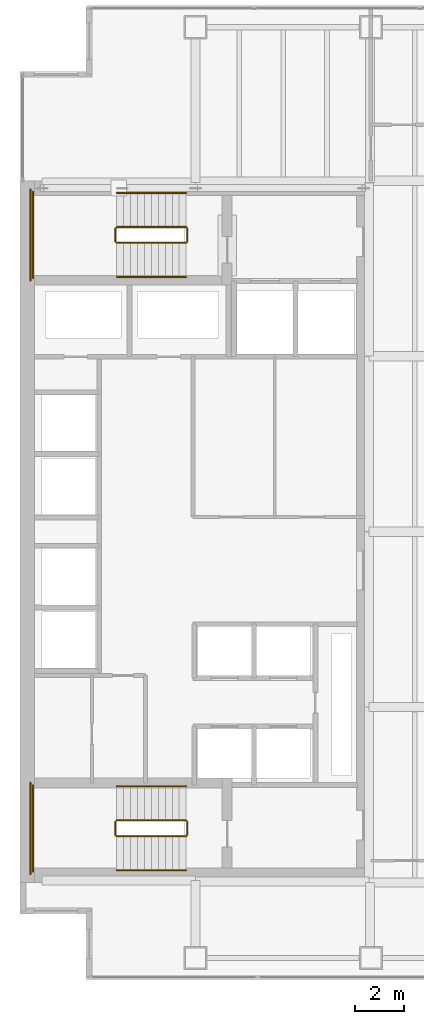
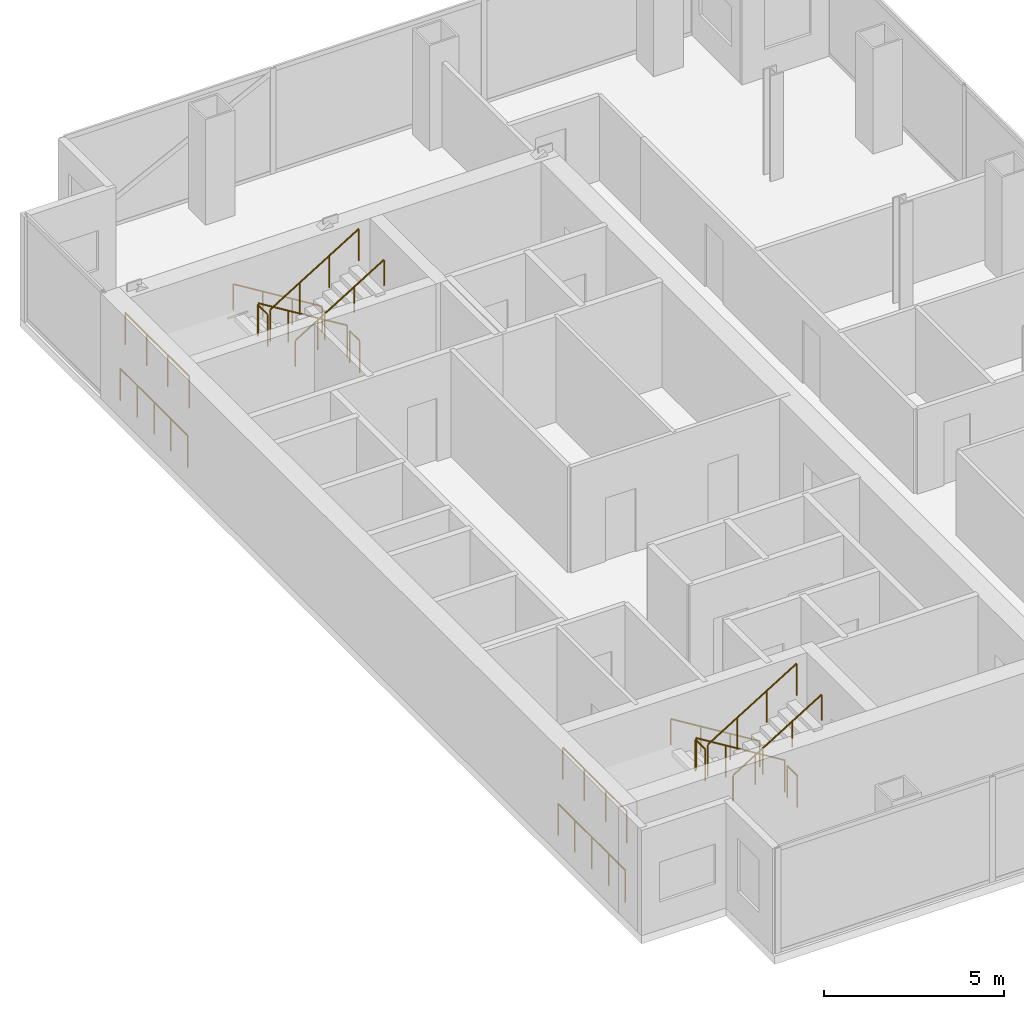
# One storey, part 23 of 23: 16 railings.
"""IFC4 building model written with IfcOpenShell, lengths in metres."""

from ifc_helpers import new_model, si_unit, direction, frame, origin, origin_2d, place, context, subcontext, project, spatial, circle, extrude, material, type_object, element, save


model = new_model("IFC4")

# Units and contexts
model_context = context("Model", 3, precision=1e-05, world=origin(), true_north=direction((0.0, 1.0)))
body_context = subcontext(model_context, "Body", "Model", "MODEL_VIEW")
ifc_project = project(units=[si_unit("LENGTHUNIT", "METRE"), si_unit("AREAUNIT", "SQUARE_METRE"), si_unit("VOLUMEUNIT", "CUBIC_METRE"), si_unit("PLANEANGLEUNIT", "RADIAN"), si_unit("MASSUNIT", "GRAM", prefix="KILO")], contexts=[model_context])

# Site, building, storey
site_placement = place(None, origin())
site = spatial("IfcSite", under=ifc_project, at=site_placement, CompositionType="ELEMENT")
building_placement = place(site_placement, origin())
building = spatial("IfcBuilding", under=site, at=building_placement, Name="Cobrela Telecom Tower", CompositionType="ELEMENT")
storey_placement = place(building_placement, frame((0.0, 0.0, 113.75)))
storey = spatial("IfcBuildingStorey", under=building, at=storey_placement, Name="L28", CompositionType="ELEMENT", Elevation=113.75)

# Railings
ifc_material = material(Name="Steel ASTM A36", Category="steel")
railing_type_1 = type_object("IfcRailingType", Name="RAIL-GUARD-1100", PredefinedType="GUARDRAIL", material=ifc_material)
railing_1_placement = place(storey_placement, frame((6.820068359375, 34.10009765625, 0.175048828125)))
element("IfcRailing", 1, at=railing_1_placement, inside=storey, type_object=railing_type_1, Name="L28 ST1 stair guard 1", PredefinedType="GUARDRAIL", context=body_context, shape_type="SweptSolid", body=[
    extrude(circle(Radius=0.02392578125, at=origin_2d()), frame((0.0, 0.0, 1.076171875), z_axis=(-0.852179220489, 0.0, 0.52325001306), x_axis=(0.0, -1.0, 0.0)), (0.0, 0.0, 1.0), 3.344482421875),
    extrude(circle(Radius=0.02099609375, at=origin_2d()), origin(), (0.0, 0.0, 1.0), 1.052001953125),
    extrude(circle(Radius=0.02099609375, at=origin_2d()), frame((-0.949951171875, 0.0, 0.583251953125)), (0.0, 0.0, 1.0), 1.052001953125),
    extrude(circle(Radius=0.02099609375, at=origin_2d()), frame((-1.900146484375, 0.0, 1.166748046875)), (0.0, 0.0, 1.0), 1.052001953125),
    extrude(circle(Radius=0.02099609375, at=origin_2d()), frame((-2.85009765625, 0.0, 1.75)), (0.0, 0.0, 1.0), 1.052001953125),
])
railing_2_placement = place(storey_placement, frame((3.919921875, 34.050048828125, 1.925048828125)))
element("IfcRailing", 2, at=railing_2_placement, inside=storey, type_object=railing_type_1, Name="L28 ST1 stair guard 2", PredefinedType="GUARDRAIL", context=body_context, shape_type="SweptSolid", body=[
    extrude(circle(Radius=0.02392578125, at=origin_2d()), frame((0.0, 0.0, 1.076171875), z_axis=(0.0, -1.0, 0.0), x_axis=(1.0, 0.0, 0.0)), (0.0, 0.0, 1.0), 0.550048828125),
    extrude(circle(Radius=0.02099609375, at=origin_2d()), origin(), (0.0, 0.0, 1.0), 1.052001953125),
    extrude(circle(Radius=0.02099609375, at=origin_2d()), frame((0.0, -0.550048828125, 0.0)), (0.0, 0.0, 1.0), 1.052001953125),
])
railing_3_placement = place(storey_placement, frame((0.530029296875, 35.550048828125, 1.925048828125)))
element("IfcRailing", 3, at=railing_3_placement, inside=storey, type_object=railing_type_1, Name="L28 ST1 stair guard 3", PredefinedType="GUARDRAIL", context=body_context, shape_type="SweptSolid", body=[
    extrude(circle(Radius=0.02392578125, at=origin_2d()), frame((0.0, 0.0, 1.076171875), z_axis=(0.0, -1.0, 0.0), x_axis=(1.0, 0.0, 0.0)), (0.0, 0.0, 1.0), 3.550048828125),
    extrude(circle(Radius=0.02099609375, at=origin_2d()), origin(), (0.0, 0.0, 1.0), 1.052001953125),
    extrude(circle(Radius=0.02099609375, at=origin_2d()), frame((0.0, -1.183349609375, 0.0)), (0.0, 0.0, 1.0), 1.052001953125),
    extrude(circle(Radius=0.02099609375, at=origin_2d()), frame((0.0, -2.36669921875, 0.0)), (0.0, 0.0, 1.0), 1.052001953125),
    extrude(circle(Radius=0.02099609375, at=origin_2d()), frame((0.0, -3.550048828125, 0.0)), (0.0, 0.0, 1.0), 1.052001953125),
])
railing_4_placement = place(storey_placement, frame((3.969970703125, 33.449951171875, 2.10009765625)))
element("IfcRailing", 4, at=railing_4_placement, inside=storey, type_object=railing_type_1, Name="L28 ST1 stair guard 4", PredefinedType="GUARDRAIL", context=body_context, shape_type="SweptSolid", body=[
    extrude(circle(Radius=0.02392578125, at=origin_2d()), frame((0.0, 0.0, 1.076171875), z_axis=(0.852179220489, 0.0, 0.52325001306), x_axis=(0.0, 1.0, 0.0)), (0.0, 0.0, 1.0), 3.344482421875),
    extrude(circle(Radius=0.02099609375, at=origin_2d()), origin(), (0.0, 0.0, 1.0), 1.052001953125),
    extrude(circle(Radius=0.02099609375, at=origin_2d()), frame((0.949951171875, 0.0, 0.583251953125)), (0.0, 0.0, 1.0), 1.052001953125),
    extrude(circle(Radius=0.02099609375, at=origin_2d()), frame((1.900146484375, 0.0, 1.166748046875)), (0.0, 0.0, 1.0), 1.052001953125),
    extrude(circle(Radius=0.02099609375, at=origin_2d()), frame((2.85009765625, 0.0, 1.75)), (0.0, 0.0, 1.0), 1.052001953125),
])
railing_5_placement = place(storey_placement, frame((6.8701171875, 34.050048828125, 0.0)))
element("IfcRailing", 5, at=railing_5_placement, inside=storey, type_object=railing_type_1, Name="L28 ST1 stair guard 5", PredefinedType="GUARDRAIL", context=body_context, shape_type="SweptSolid", body=[
    extrude(circle(Radius=0.02392578125, at=origin_2d()), frame((0.0, 0.0, 1.076171875), z_axis=(0.0, -1.0, 0.0), x_axis=(1.0, 0.0, 0.0)), (0.0, 0.0, 1.0), 0.550048828125),
    extrude(circle(Radius=0.02099609375, at=origin_2d()), origin(), (0.0, 0.0, 1.0), 1.052001953125),
    extrude(circle(Radius=0.02099609375, at=origin_2d()), frame((0.0, -0.550048828125, 0.0)), (0.0, 0.0, 1.0), 1.052001953125),
])
railing_6_placement = place(storey_placement, frame((0.429931640625, 35.64990234375, 0.0)))
element("IfcRailing", 6, at=railing_6_placement, inside=storey, type_object=railing_type_1, Name="L28 ST1 stair guard 6", PredefinedType="GUARDRAIL", context=body_context, shape_type="SweptSolid", body=[
    extrude(circle(Radius=0.02392578125, at=origin_2d()), frame((0.0, 0.0, 1.076171875), z_axis=(0.0, -1.0, 0.0), x_axis=(1.0, 0.0, 0.0)), (0.0, 0.0, 1.0), 3.75),
    extrude(circle(Radius=0.02099609375, at=origin_2d()), origin(), (0.0, 0.0, 1.0), 1.052001953125),
    extrude(circle(Radius=0.02099609375, at=origin_2d()), frame((0.0, -0.9375, 0.0)), (0.0, 0.0, 1.0), 1.052001953125),
    extrude(circle(Radius=0.02099609375, at=origin_2d()), frame((0.0, -1.875, 0.0)), (0.0, 0.0, 1.0), 1.052001953125),
    extrude(circle(Radius=0.02099609375, at=origin_2d()), frame((0.0, -2.8125, 0.0)), (0.0, 0.0, 1.0), 1.052001953125),
    extrude(circle(Radius=0.02099609375, at=origin_2d()), frame((0.0, -3.75, 0.0)), (0.0, 0.0, 1.0), 1.052001953125),
])
railing_7_placement = place(storey_placement, frame((6.820068359375, 9.75, 0.175048828125)))
element("IfcRailing", 7, at=railing_7_placement, inside=storey, type_object=railing_type_1, Name="L28 ST2 stair guard 1", PredefinedType="GUARDRAIL", context=body_context, shape_type="SweptSolid", body=[
    extrude(circle(Radius=0.02392578125, at=origin_2d()), frame((0.0, 0.0, 1.076171875), z_axis=(-0.852179220489, 0.0, 0.52325001306), x_axis=(0.0, -1.0, 0.0)), (0.0, 0.0, 1.0), 3.344482421875),
    extrude(circle(Radius=0.02099609375, at=origin_2d()), origin(), (0.0, 0.0, 1.0), 1.052001953125),
    extrude(circle(Radius=0.02099609375, at=origin_2d()), frame((-0.949951171875, 0.0, 0.583251953125)), (0.0, 0.0, 1.0), 1.052001953125),
    extrude(circle(Radius=0.02099609375, at=origin_2d()), frame((-1.900146484375, 0.0, 1.166748046875)), (0.0, 0.0, 1.0), 1.052001953125),
    extrude(circle(Radius=0.02099609375, at=origin_2d()), frame((-2.85009765625, 0.0, 1.75)), (0.0, 0.0, 1.0), 1.052001953125),
])
railing_8_placement = place(storey_placement, frame((3.919921875, 9.699951171875, 1.925048828125)))
element("IfcRailing", 8, at=railing_8_placement, inside=storey, type_object=railing_type_1, Name="L28 ST2 stair guard 2", PredefinedType="GUARDRAIL", context=body_context, shape_type="SweptSolid", body=[
    extrude(circle(Radius=0.02392578125, at=origin_2d()), frame((0.0, 0.0, 1.076171875), z_axis=(0.0, -1.0, 0.0), x_axis=(1.0, 0.0, 0.0)), (0.0, 0.0, 1.0), 0.550048828125),
    extrude(circle(Radius=0.02099609375, at=origin_2d()), origin(), (0.0, 0.0, 1.0), 1.052001953125),
    extrude(circle(Radius=0.02099609375, at=origin_2d()), frame((0.0, -0.550048828125, 0.0)), (0.0, 0.0, 1.0), 1.052001953125),
])
railing_9_placement = place(storey_placement, frame((0.530029296875, 11.199951171875, 1.925048828125)))
element("IfcRailing", 9, at=railing_9_placement, inside=storey, type_object=railing_type_1, Name="L28 ST2 stair guard 3", PredefinedType="GUARDRAIL", context=body_context, shape_type="SweptSolid", body=[
    extrude(circle(Radius=0.02392578125, at=origin_2d()), frame((0.0, 0.0, 1.076171875), z_axis=(0.0, -1.0, 0.0), x_axis=(1.0, 0.0, 0.0)), (0.0, 0.0, 1.0), 3.550048828125),
    extrude(circle(Radius=0.02099609375, at=origin_2d()), origin(), (0.0, 0.0, 1.0), 1.052001953125),
    extrude(circle(Radius=0.02099609375, at=origin_2d()), frame((0.0, -1.183349609375, 0.0)), (0.0, 0.0, 1.0), 1.052001953125),
    extrude(circle(Radius=0.02099609375, at=origin_2d()), frame((0.0, -2.36669921875, 0.0)), (0.0, 0.0, 1.0), 1.052001953125),
    extrude(circle(Radius=0.02099609375, at=origin_2d()), frame((0.0, -3.550048828125, 0.0)), (0.0, 0.0, 1.0), 1.052001953125),
])
railing_10_placement = place(storey_placement, frame((3.969970703125, 9.10009765625, 2.10009765625)))
element("IfcRailing", 10, at=railing_10_placement, inside=storey, type_object=railing_type_1, Name="L28 ST2 stair guard 4", PredefinedType="GUARDRAIL", context=body_context, shape_type="SweptSolid", body=[
    extrude(circle(Radius=0.02392578125, at=origin_2d()), frame((0.0, 0.0, 1.076171875), z_axis=(0.852179220489, 0.0, 0.52325001306), x_axis=(0.0, 1.0, 0.0)), (0.0, 0.0, 1.0), 3.344482421875),
    extrude(circle(Radius=0.02099609375, at=origin_2d()), origin(), (0.0, 0.0, 1.0), 1.052001953125),
    extrude(circle(Radius=0.02099609375, at=origin_2d()), frame((0.949951171875, 0.0, 0.583251953125)), (0.0, 0.0, 1.0), 1.052001953125),
    extrude(circle(Radius=0.02099609375, at=origin_2d()), frame((1.900146484375, 0.0, 1.166748046875)), (0.0, 0.0, 1.0), 1.052001953125),
    extrude(circle(Radius=0.02099609375, at=origin_2d()), frame((2.85009765625, 0.0, 1.75)), (0.0, 0.0, 1.0), 1.052001953125),
])
railing_11_placement = place(storey_placement, frame((6.8701171875, 9.699951171875, 0.0)))
element("IfcRailing", 11, at=railing_11_placement, inside=storey, type_object=railing_type_1, Name="L28 ST2 stair guard 5", PredefinedType="GUARDRAIL", context=body_context, shape_type="SweptSolid", body=[
    extrude(circle(Radius=0.02392578125, at=origin_2d()), frame((0.0, 0.0, 1.076171875), z_axis=(0.0, -1.0, 0.0), x_axis=(1.0, 0.0, 0.0)), (0.0, 0.0, 1.0), 0.550048828125),
    extrude(circle(Radius=0.02099609375, at=origin_2d()), origin(), (0.0, 0.0, 1.0), 1.052001953125),
    extrude(circle(Radius=0.02099609375, at=origin_2d()), frame((0.0, -0.550048828125, 0.0)), (0.0, 0.0, 1.0), 1.052001953125),
])
railing_12_placement = place(storey_placement, frame((0.429931640625, 11.300048828125, 0.0)))
element("IfcRailing", 12, at=railing_12_placement, inside=storey, type_object=railing_type_1, Name="L28 ST2 stair guard 6", PredefinedType="GUARDRAIL", context=body_context, shape_type="SweptSolid", body=[
    extrude(circle(Radius=0.02392578125, at=origin_2d()), frame((0.0, 0.0, 1.076171875), z_axis=(0.0, -1.0, 0.0), x_axis=(1.0, 0.0, 0.0)), (0.0, 0.0, 1.0), 3.75),
    extrude(circle(Radius=0.02099609375, at=origin_2d()), origin(), (0.0, 0.0, 1.0), 1.052001953125),
    extrude(circle(Radius=0.02099609375, at=origin_2d()), frame((0.0, -0.9375, 0.0)), (0.0, 0.0, 1.0), 1.052001953125),
    extrude(circle(Radius=0.02099609375, at=origin_2d()), frame((0.0, -1.875, 0.0)), (0.0, 0.0, 1.0), 1.052001953125),
    extrude(circle(Radius=0.02099609375, at=origin_2d()), frame((0.0, -2.8125, 0.0)), (0.0, 0.0, 1.0), 1.052001953125),
    extrude(circle(Radius=0.02099609375, at=origin_2d()), frame((0.0, -3.75, 0.0)), (0.0, 0.0, 1.0), 1.052001953125),
])
railing_type_2 = type_object("IfcRailingType", Name="RAIL-HAND-920", PredefinedType="HANDRAIL", material=ifc_material)
railing_13_placement = place(storey_placement, frame((6.820068359375, 35.5, 0.175048828125)))
element("IfcRailing", 13, at=railing_13_placement, inside=storey, type_object=railing_type_2, Name="L28 ST1 stair handrail 1", PredefinedType="HANDRAIL", context=body_context, shape_type="SweptSolid", body=[
    extrude(circle(Radius=0.02392578125, at=origin_2d()), frame((0.0, 0.0, 0.8759765625), z_axis=(-0.852179220489, 0.0, 0.52325001306), x_axis=(0.0, -1.0, 0.0)), (0.0, 0.0, 1.0), 3.344482421875),
    extrude(circle(Radius=0.02099609375, at=origin_2d()), origin(), (0.0, 0.0, 1.0), 0.851806640625),
    extrude(circle(Radius=0.02099609375, at=origin_2d()), frame((-0.949951171875, 0.0, 0.583251953125)), (0.0, 0.0, 1.0), 0.851806640625),
    extrude(circle(Radius=0.02099609375, at=origin_2d()), frame((-1.900146484375, 0.0, 1.166748046875)), (0.0, 0.0, 1.0), 0.851806640625),
    extrude(circle(Radius=0.02099609375, at=origin_2d()), frame((-2.85009765625, 0.0, 1.75)), (0.0, 0.0, 1.0), 0.851806640625),
])
railing_14_placement = place(storey_placement, frame((3.969970703125, 32.050048828125, 2.10009765625)))
element("IfcRailing", 14, at=railing_14_placement, inside=storey, type_object=railing_type_2, Name="L28 ST1 stair handrail 2", PredefinedType="HANDRAIL", context=body_context, shape_type="SweptSolid", body=[
    extrude(circle(Radius=0.02392578125, at=origin_2d()), frame((0.0, 0.0, 0.8759765625), z_axis=(0.852179220489, 0.0, 0.52325001306), x_axis=(0.0, 1.0, 0.0)), (0.0, 0.0, 1.0), 3.344482421875),
    extrude(circle(Radius=0.02099609375, at=origin_2d()), origin(), (0.0, 0.0, 1.0), 0.851806640625),
    extrude(circle(Radius=0.02099609375, at=origin_2d()), frame((0.949951171875, 0.0, 0.583251953125)), (0.0, 0.0, 1.0), 0.851806640625),
    extrude(circle(Radius=0.02099609375, at=origin_2d()), frame((1.900146484375, 0.0, 1.166748046875)), (0.0, 0.0, 1.0), 0.851806640625),
    extrude(circle(Radius=0.02099609375, at=origin_2d()), frame((2.85009765625, 0.0, 1.75)), (0.0, 0.0, 1.0), 0.851806640625),
])
railing_15_placement = place(storey_placement, frame((6.820068359375, 11.14990234375, 0.175048828125)))
element("IfcRailing", 15, at=railing_15_placement, inside=storey, type_object=railing_type_2, Name="L28 ST2 stair handrail 1", PredefinedType="HANDRAIL", context=body_context, shape_type="SweptSolid", body=[
    extrude(circle(Radius=0.02392578125, at=origin_2d()), frame((0.0, 0.0, 0.8759765625), z_axis=(-0.852179220489, 0.0, 0.52325001306), x_axis=(0.0, -1.0, 0.0)), (0.0, 0.0, 1.0), 3.344482421875),
    extrude(circle(Radius=0.02099609375, at=origin_2d()), origin(), (0.0, 0.0, 1.0), 0.851806640625),
    extrude(circle(Radius=0.02099609375, at=origin_2d()), frame((-0.949951171875, 0.0, 0.583251953125)), (0.0, 0.0, 1.0), 0.851806640625),
    extrude(circle(Radius=0.02099609375, at=origin_2d()), frame((-1.900146484375, 0.0, 1.166748046875)), (0.0, 0.0, 1.0), 0.851806640625),
    extrude(circle(Radius=0.02099609375, at=origin_2d()), frame((-2.85009765625, 0.0, 1.75)), (0.0, 0.0, 1.0), 0.851806640625),
])
railing_16_placement = place(storey_placement, frame((3.969970703125, 7.699951171875, 2.10009765625)))
element("IfcRailing", 16, at=railing_16_placement, inside=storey, type_object=railing_type_2, Name="L28 ST2 stair handrail 2", PredefinedType="HANDRAIL", context=body_context, shape_type="SweptSolid", body=[
    extrude(circle(Radius=0.02392578125, at=origin_2d()), frame((0.0, 0.0, 0.8759765625), z_axis=(0.852179220489, 0.0, 0.52325001306), x_axis=(0.0, 1.0, 0.0)), (0.0, 0.0, 1.0), 3.344482421875),
    extrude(circle(Radius=0.02099609375, at=origin_2d()), origin(), (0.0, 0.0, 1.0), 0.851806640625),
    extrude(circle(Radius=0.02099609375, at=origin_2d()), frame((0.949951171875, 0.0, 0.583251953125)), (0.0, 0.0, 1.0), 0.851806640625),
    extrude(circle(Radius=0.02099609375, at=origin_2d()), frame((1.900146484375, 0.0, 1.166748046875)), (0.0, 0.0, 1.0), 0.851806640625),
    extrude(circle(Radius=0.02099609375, at=origin_2d()), frame((2.85009765625, 0.0, 1.75)), (0.0, 0.0, 1.0), 0.851806640625),
])

save(model, "model.ifc")
